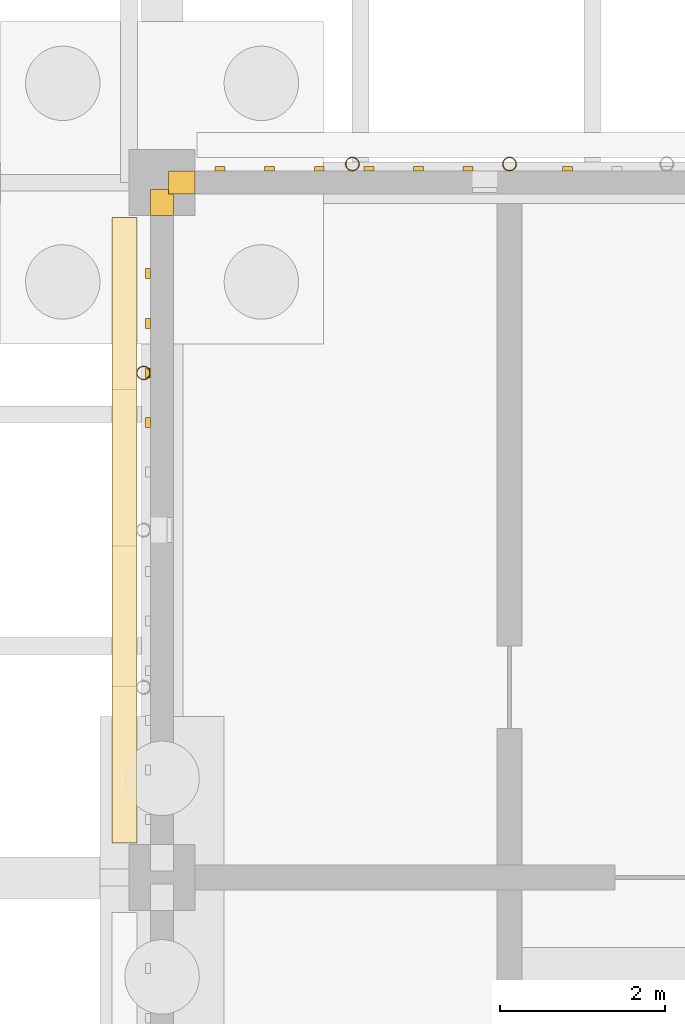
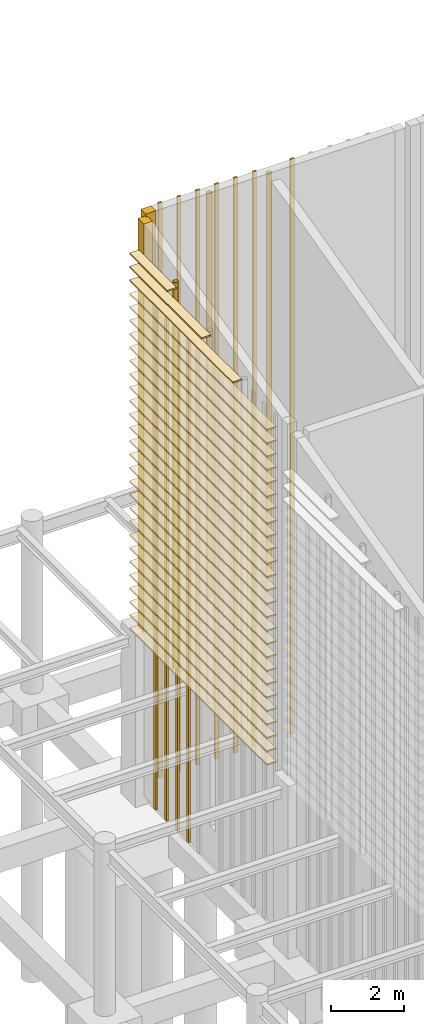
# One storey, part 67 of 82: 31 coverings, 14 shading devices.
"""IFC4 building model written with IfcOpenShell, lengths in metres."""

from ifc_helpers import new_model, si_unit, direction, frame, origin, origin_2d, place, context, subcontext, project, spatial, rectangle, hollow_circle, extrude, material, layer, layer_set, material_profile, profile_set, type_object, element, save


model = new_model("IFC4")

# Units and contexts
model_context = context("Model", 3, precision=1e-05, world=origin(), true_north=direction((0.0, 1.0)))
body_context = subcontext(model_context, "Body", "Model", "MODEL_VIEW")
ifc_project = project(units=[si_unit("LENGTHUNIT", "METRE"), si_unit("AREAUNIT", "SQUARE_METRE"), si_unit("VOLUMEUNIT", "CUBIC_METRE"), si_unit("PLANEANGLEUNIT", "RADIAN"), si_unit("MASSUNIT", "GRAM", prefix="KILO")], contexts=[model_context])

# Site, building, storey
site_placement = place(None, origin())
site = spatial("IfcSite", under=ifc_project, at=site_placement, CompositionType="ELEMENT")
building_placement = place(site_placement, origin())
building = spatial("IfcBuilding", under=site, at=building_placement, Name="Almond Square Museum", CompositionType="ELEMENT")
storey_placement = place(building_placement, origin())
storey = spatial("IfcBuildingStorey", under=building, at=storey_placement, Name="L00", CompositionType="ELEMENT", Elevation=0.0)

# Shading devices
ifc_material_1 = material(Name="Structural steel S355", Category="steel")
ifc_material_profile_1 = material_profile(ifc_material_1, hollow_circle(Radius=0.084228515625, WallThickness=0.008056640625, at=origin_2d()))
ifc_profile_set_1 = profile_set([ifc_material_profile_1], Name="Structural steel S355")
shading_device_type_1 = type_object("IfcShadingDeviceType", Name="Louvre post CHS 168.3 x 8", PredefinedType="USERDEFINED", material=ifc_profile_set_1)
for number, where, z_axis, x_axis, name in (
    (1, (8.300048828125, 109.424072265625, 5.5), (0.0, 0.0, 1.0), (1.0, 0.0, 0.0), "Louvre screen post"),
    (2, (10.199951171875, 109.424072265625, 5.5), (0.0, 0.0, 1.0), (1.0, 0.0, 0.0), "Louvre screen post"),
):
    element("IfcShadingDevice", number, at=place(storey_placement, frame(where, z_axis=z_axis, x_axis=x_axis)), inside=storey, type_object=shading_device_type_1, Name=name, ObjectType="POST", PredefinedType="USERDEFINED", context=body_context, shape_type="SweptSolid", body=[
        extrude(hollow_circle(Radius=0.084228515625, WallThickness=0.008056640625, at=origin_2d()), origin(), (0.0, 0.0, 1.0), 13.569091796875),
    ])
shading_device_placement = place(storey_placement, frame((5.77587890625, 106.89990234375, 5.5), z_axis=(0.0, 0.0, 1.0), x_axis=(1.0, 0.0, 0.0)))
element("IfcShadingDevice", 3, at=shading_device_placement, inside=storey, type_object=shading_device_type_1, Name="Louvre screen post", ObjectType="POST", PredefinedType="USERDEFINED", context=body_context, shape_type="SweptSolid", body=[
    extrude(hollow_circle(Radius=0.084228515625, WallThickness=0.008056640625, at=origin_2d()), origin(), (0.0, 0.0, 1.0), 12.9873046875),
])

# Coverings
ifc_material_2 = material(Name="Cedar timber louvre board", Category="wood")
ifc_material_profile_2 = material_profile(ifc_material_2, rectangle(XDim=0.300048828125, YDim=0.050048828125, at=origin_2d()))
ifc_profile_set_2 = profile_set([ifc_material_profile_2], Name="Cedar timber louvre board")
covering_type_1 = type_object("IfcCoveringType", Name="Louvre screen board 300 x 50", PredefinedType="CLADDING", material=ifc_profile_set_2)
for number, where, z_axis, x_axis, name in (
    (4, (5.545654296875, 101.219970703125, 5.800048828125), (0.0, 1.0, 0.0), (-1.0, 0.0, 0.0), "Louvre screen board"),
    (5, (5.545654296875, 101.219970703125, 6.25), (0.0, 1.0, 0.0), (-1.0, 0.0, 0.0), "Louvre screen board"),
    (6, (5.545654296875, 101.219970703125, 6.699951171875), (0.0, 1.0, 0.0), (-1.0, 0.0, 0.0), "Louvre screen board"),
    (7, (5.545654296875, 101.219970703125, 7.14990234375), (0.0, 1.0, 0.0), (-1.0, 0.0, 0.0), "Louvre screen board"),
    (8, (5.545654296875, 101.219970703125, 7.60009765625), (0.0, 1.0, 0.0), (-1.0, 0.0, 0.0), "Louvre screen board"),
    (9, (5.545654296875, 101.219970703125, 8.050048828125), (0.0, 1.0, 0.0), (-1.0, 0.0, 0.0), "Louvre screen board"),
    (10, (5.545654296875, 101.219970703125, 8.5), (0.0, 1.0, 0.0), (-1.0, 0.0, 0.0), "Louvre screen board"),
    (11, (5.545654296875, 101.219970703125, 8.949951171875), (0.0, 1.0, 0.0), (-1.0, 0.0, 0.0), "Louvre screen board"),
    (12, (5.545654296875, 101.219970703125, 9.39990234375), (0.0, 1.0, 0.0), (-1.0, 0.0, 0.0), "Louvre screen board"),
    (13, (5.545654296875, 101.219970703125, 9.85009765625), (0.0, 1.0, 0.0), (-1.0, 0.0, 0.0), "Louvre screen board"),
    (14, (5.545654296875, 101.219970703125, 10.300048828125), (0.0, 1.0, 0.0), (-1.0, 0.0, 0.0), "Louvre screen board"),
    (15, (5.545654296875, 101.219970703125, 10.75), (0.0, 1.0, 0.0), (-1.0, 0.0, 0.0), "Louvre screen board"),
    (16, (5.545654296875, 101.219970703125, 11.199951171875), (0.0, 1.0, 0.0), (-1.0, 0.0, 0.0), "Louvre screen board"),
    (17, (5.545654296875, 101.219970703125, 11.64990234375), (0.0, 1.0, 0.0), (-1.0, 0.0, 0.0), "Louvre screen board"),
    (18, (5.545654296875, 101.219970703125, 12.10009765625), (0.0, 1.0, 0.0), (-1.0, 0.0, 0.0), "Louvre screen board"),
    (19, (5.545654296875, 101.219970703125, 12.550048828125), (0.0, 1.0, 0.0), (-1.0, 0.0, 0.0), "Louvre screen board"),
    (20, (5.545654296875, 101.219970703125, 13.0), (0.0, 1.0, 0.0), (-1.0, 0.0, 0.0), "Louvre screen board"),
    (21, (5.545654296875, 101.219970703125, 13.449951171875), (0.0, 1.0, 0.0), (-1.0, 0.0, 0.0), "Louvre screen board"),
    (22, (5.545654296875, 101.219970703125, 13.89990234375), (0.0, 1.0, 0.0), (-1.0, 0.0, 0.0), "Louvre screen board"),
    (23, (5.545654296875, 101.219970703125, 14.35009765625), (0.0, 1.0, 0.0), (-1.0, 0.0, 0.0), "Louvre screen board"),
    (24, (5.545654296875, 101.219970703125, 14.800048828125), (0.0, 1.0, 0.0), (-1.0, 0.0, 0.0), "Louvre screen board"),
    (25, (5.545654296875, 101.219970703125, 15.25), (0.0, 1.0, 0.0), (-1.0, 0.0, 0.0), "Louvre screen board"),
    (26, (5.545654296875, 101.219970703125, 15.699951171875), (0.0, 1.0, 0.0), (-1.0, 0.0, 0.0), "Louvre screen board"),
    (27, (5.545654296875, 101.219970703125, 16.14990234375), (0.0, 1.0, 0.0), (-1.0, 0.0, 0.0), "Louvre screen board"),
    (28, (5.545654296875, 101.219970703125, 16.60009765625), (0.0, 1.0, 0.0), (-1.0, 0.0, 0.0), "Louvre screen board"),
    (29, (5.545654296875, 101.219970703125, 17.050048828125), (0.0, 1.0, 0.0), (-1.0, 0.0, 0.0), "Louvre screen board"),
):
    element("IfcCovering", number, at=place(storey_placement, frame(where, z_axis=z_axis, x_axis=x_axis)), inside=storey, type_object=covering_type_1, Name=name, PredefinedType="CLADDING", context=body_context, shape_type="SweptSolid", body=[
        extrude(rectangle(XDim=0.300048828125, YDim=0.050048828125, at=origin_2d()), origin(), (0.0, 0.0, 1.0), 7.56005859375),
    ])
covering_1_placement = place(storey_placement, frame((5.545654296875, 103.110107421875, 17.5), z_axis=(0.0, 1.0, 0.0), x_axis=(-1.0, 0.0, 0.0)))
element("IfcCovering", 30, at=covering_1_placement, inside=storey, type_object=covering_type_1, Name="Louvre screen board", PredefinedType="CLADDING", context=body_context, shape_type="SweptSolid", body=[
    extrude(rectangle(XDim=0.300048828125, YDim=0.050048828125, at=origin_2d()), origin(), (0.0, 0.0, 1.0), 5.669921875),
])
covering_2_placement = place(storey_placement, frame((5.545654296875, 104.81103515625, 17.949951171875), z_axis=(0.0, 1.0, 0.0), x_axis=(-1.0, 0.0, 0.0)))
element("IfcCovering", 31, at=covering_2_placement, inside=storey, type_object=covering_type_1, Name="Louvre screen board", PredefinedType="CLADDING", context=body_context, shape_type="SweptSolid", body=[
    extrude(rectangle(XDim=0.300048828125, YDim=0.050048828125, at=origin_2d()), origin(), (0.0, 0.0, 1.0), 3.968994140625),
])
covering_3_placement = place(storey_placement, frame((5.545654296875, 106.700927734375, 18.39990234375), z_axis=(0.0, 1.0, 0.0), x_axis=(-1.0, 0.0, 0.0)))
element("IfcCovering", 32, at=covering_3_placement, inside=storey, type_object=covering_type_1, Name="Louvre screen board", PredefinedType="CLADDING", context=body_context, shape_type="SweptSolid", body=[
    extrude(rectangle(XDim=0.300048828125, YDim=0.050048828125, at=origin_2d()), origin(), (0.0, 0.0, 1.0), 2.0791015625),
])

# Shading devices
ifc_material_3 = material(Name="Cedar timber batten", Category="wood")
ifc_material_profile_3 = material_profile(ifc_material_3, rectangle(XDim=0.06005859375, YDim=0.1201171875, at=origin_2d()))
ifc_profile_set_3 = profile_set([ifc_material_profile_3], Name="Cedar timber batten")
shading_device_type_2 = type_object("IfcShadingDeviceType", Name="Vertical timber batten 60 x 120", PredefinedType="USERDEFINED", material=ifc_profile_set_3)
for number, where, z_axis, x_axis, name in (
    (33, (6.699951171875, 109.367919921875, 0.0), (0.0, 0.0, 1.0), (0.0, 1.0, 0.0), "Timber batten"),
    (34, (7.300048828125, 109.367919921875, 0.0), (0.0, 0.0, 1.0), (0.0, 1.0, 0.0), "Timber batten"),
    (35, (7.89990234375, 109.367919921875, 0.0), (0.0, 0.0, 1.0), (0.0, 1.0, 0.0), "Timber batten"),
    (36, (8.5, 109.367919921875, 0.0), (0.0, 0.0, 1.0), (0.0, 1.0, 0.0), "Timber batten"),
    (37, (9.10009765625, 109.367919921875, 0.0), (0.0, 0.0, 1.0), (0.0, 1.0, 0.0), "Timber batten"),
    (38, (9.699951171875, 109.367919921875, 0.0), (0.0, 0.0, 1.0), (0.0, 1.0, 0.0), "Timber batten"),
    (39, (10.89990234375, 109.367919921875, 0.0), (0.0, 0.0, 1.0), (0.0, 1.0, 0.0), "Timber batten"),
):
    element("IfcShadingDevice", number, at=place(storey_placement, frame(where, z_axis=z_axis, x_axis=x_axis)), inside=storey, type_object=shading_device_type_2, Name=name, ObjectType="FIN", PredefinedType="USERDEFINED", context=body_context, shape_type="SweptSolid", body=[
        extrude(rectangle(XDim=0.06005859375, YDim=0.1201171875, at=origin_2d()), origin(), (0.0, 0.0, 1.0), 19.319091796875),
    ])
for number, where, z_axis, x_axis, name in (
    (40, (5.83203125, 106.300048828125, 0.0), (0.0, 0.0, 1.0), (-1.0, 0.0, 0.0), "Timber batten"),
    (41, (5.83203125, 106.89990234375, 0.0), (0.0, 0.0, 1.0), (-1.0, 0.0, 0.0), "Timber batten"),
    (42, (5.83203125, 107.5, 0.0), (0.0, 0.0, 1.0), (-1.0, 0.0, 0.0), "Timber batten"),
    (43, (5.83203125, 108.10009765625, 0.0), (0.0, 0.0, 1.0), (-1.0, 0.0, 0.0), "Timber batten"),
):
    element("IfcShadingDevice", number, at=place(storey_placement, frame(where, z_axis=z_axis, x_axis=x_axis)), inside=storey, type_object=shading_device_type_2, Name=name, ObjectType="FIN", PredefinedType="USERDEFINED", context=body_context, shape_type="SweptSolid", body=[
        extrude(rectangle(XDim=0.06005859375, YDim=0.1201171875, at=origin_2d()), origin(), (0.0, 0.0, 1.0), 17.295166015625),
    ])

# Coverings
ifc_material_4 = material(Name="Cladding panel to match the wall")
ifc_layer = layer(ifc_material_4, 0.050048828125)
ifc_layer_set = layer_set([ifc_layer], Name="Cladding panel to match the wall")
covering_type_2 = type_object("IfcCoveringType", Name="Wall end closure panel", PredefinedType="CLADDING", material=ifc_layer_set)
covering_4_placement = place(storey_placement, frame((6.239990234375, 109.199951171875, 5.5), z_axis=(0.0, 0.0, 1.0), x_axis=(1.0, 0.0, 0.0)))
element("IfcCovering", 44, at=covering_4_placement, inside=storey, type_object=covering_type_2, Name="Wall end closure panel", PredefinedType="CLADDING", context=body_context, shape_type="SweptSolid", body=[
    extrude(rectangle(XDim=0.320068359375, YDim=0.280029296875, at=origin_2d()), origin(), (0.0, 0.0, 1.0), 13.819091796875),
])
covering_5_placement = place(storey_placement, frame((6.0, 108.9599609375, 5.5), z_axis=(0.0, 0.0, 1.0), x_axis=(1.0, 0.0, 0.0)))
element("IfcCovering", 45, at=covering_5_placement, inside=storey, type_object=covering_type_2, Name="Wall end closure panel", PredefinedType="CLADDING", context=body_context, shape_type="SweptSolid", body=[
    extrude(rectangle(XDim=0.280029296875, YDim=0.320068359375, at=origin_2d()), origin(), (0.0, 0.0, 1.0), 13.718017578125),
])

save(model, "model.ifc")
